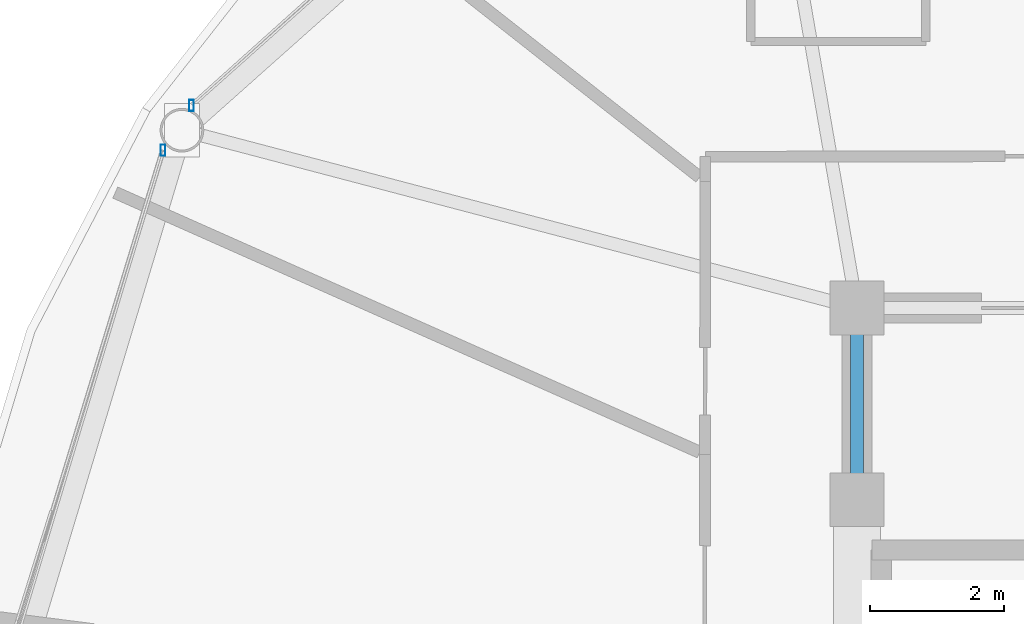
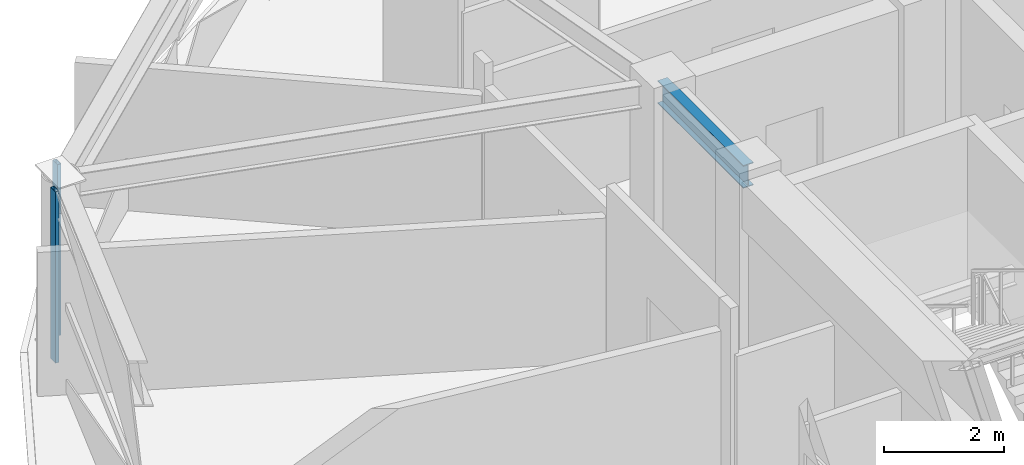
# One storey, part 9 of 30: 2 members, 1 beam, 2 elements without a shape of their own.
"""IFC4 building model written with IfcOpenShell, lengths in metres."""

from ifc_helpers import new_model, si_unit, direction, frame, origin, origin_2d, place, context, subcontext, project, spatial, hollow_rectangle, i_section, extrude, material, layer, layer_set, material_profile, profile_set, type_object, element, aggregate, save


model = new_model("IFC4")

# Units and contexts
model_context = context("Model", 3, precision=1e-05, world=origin(), true_north=direction((0.0, 1.0)))
body_context = subcontext(model_context, "Body", "Model", "MODEL_VIEW")
ifc_project = project(units=[si_unit("LENGTHUNIT", "METRE"), si_unit("AREAUNIT", "SQUARE_METRE"), si_unit("VOLUMEUNIT", "CUBIC_METRE"), si_unit("PLANEANGLEUNIT", "RADIAN"), si_unit("MASSUNIT", "GRAM", prefix="KILO")], contexts=[model_context])

# Site, building, storey
site_placement = place(None, origin())
site = spatial("IfcSite", under=ifc_project, at=site_placement, CompositionType="ELEMENT")
building_placement = place(site_placement, origin())
building = spatial("IfcBuilding", under=site, at=building_placement, Name="Vantalir Tower", CompositionType="ELEMENT")
storey_placement = place(building_placement, frame((0.0, 0.0, 193.64990234375)))
storey = spatial("IfcBuildingStorey", under=building, at=storey_placement, Name="L48", CompositionType="ELEMENT", Elevation=193.64990234375)

# Beam
ifc_material_1 = material(Name="Steel S355", Category="steel")
ifc_material_profile_1 = material_profile(ifc_material_1, i_section(OverallWidth=0.19189453125, OverallDepth=0.462890625, WebThickness=0.010498046875, FlangeThickness=0.017578125, at=origin_2d()), Name="Steel S355")
ifc_profile_set_1 = profile_set([ifc_material_profile_1], Name="Steel S355")
beam_type = type_object("IfcBeamType", Name="BM-RB-457x191", PredefinedType="BEAM", material=ifc_profile_set_1)
beam_placement = place(storey_placement, frame((21.89990234375, 32.449951171875, 3.338134765625), z_axis=(0.0, -1.0, 0.0), x_axis=(1.0, 0.0, 0.0)))
element("IfcBeam", 1, at=beam_placement, inside=storey, type_object=beam_type, Name="L48 Core Coupling Girder 12", PredefinedType="BEAM", context=body_context, shape_type="SweptSolid", body=[
    extrude(i_section(OverallWidth=0.19189453125, OverallDepth=0.462890625, WebThickness=0.010498046875, FlangeThickness=0.017578125, at=origin_2d()), origin(), (0.0, 0.0, 1.0), 2.849853515625),
])

# Curtain wall, member
ifc_material_2 = material(Name="Champagne-silver PVDF aluminium and double-silver Low-E glass", Category="aluminium")
ifc_layer = layer(ifc_material_2, 0.2099609375)
ifc_layer_set = layer_set([ifc_layer], Name="Champagne-silver PVDF aluminium and double-silver Low-E glass")
curtain_wall_type = type_object("IfcCurtainWallType", Name="CW-DIAMOND-Z3", PredefinedType="USERDEFINED", material=ifc_layer_set)
curtain_wall_1_placement = place(storey_placement, origin())
curtain_wall_1 = element("IfcCurtainWall", 2, at=curtain_wall_1_placement, inside=storey, type_object=curtain_wall_type, Name="L48 Quilted Pyramid-Diamond Curtain Wall S05", ObjectType="UNITISED CURTAIN WALL", PredefinedType="USERDEFINED")
ifc_material_3 = material(Name="Champagne-silver PVDF aluminium 6063-T6", Category="aluminium")
ifc_material_profile_2 = material_profile(ifc_material_3, hollow_rectangle(XDim=0.070068359375, YDim=0.1650390625, WallThickness=0.00390625, at=origin_2d()), Name="Champagne-silver PVDF aluminium 6063-T6")
ifc_profile_set_2 = profile_set([ifc_material_profile_2], Name="Champagne-silver PVDF aluminium 6063-T6")
member_type = type_object("IfcMemberType", Name="CWM-165x70", PredefinedType="MULLION", material=ifc_profile_set_2)
member_1_placement = place(storey_placement, frame((12.0029296875, 35.4619140625, 0.045166015625), z_axis=(0.0, 0.0, 1.0), x_axis=(1.0, 0.0, 0.0)))
member_1 = element("IfcMember", 3, at=member_1_placement, type_object=member_type, Name="CW-L48-S05 Mullion 2", PredefinedType="MULLION", context=body_context, shape_type="SweptSolid", body=[
    extrude(hollow_rectangle(XDim=0.070068359375, YDim=0.1650390625, WallThickness=0.00390625, at=origin_2d()), origin(), (0.0, 0.0, 1.0), 3.47998046875),
])
aggregate(curtain_wall_1, [member_1])

curtain_wall_2_placement = place(storey_placement, origin())
curtain_wall_2 = element("IfcCurtainWall", 4, at=curtain_wall_2_placement, inside=storey, type_object=curtain_wall_type, Name="L48 Quilted Pyramid-Diamond Curtain Wall S06", ObjectType="UNITISED CURTAIN WALL", PredefinedType="USERDEFINED")
member_2_placement = place(storey_placement, frame((11.5791015625, 34.7958984375, 0.045166015625), z_axis=(0.0, 0.0, 1.0), x_axis=(1.0, 0.0, 0.0)))
member_2 = element("IfcMember", 5, at=member_2_placement, type_object=member_type, Name="CW-L48-S06 Mullion 1", PredefinedType="MULLION", context=body_context, shape_type="SweptSolid", body=[
    extrude(hollow_rectangle(XDim=0.070068359375, YDim=0.1650390625, WallThickness=0.00390625, at=origin_2d()), origin(), (0.0, 0.0, 1.0), 3.47998046875),
])
aggregate(curtain_wall_2, [member_2])

save(model, "model.ifc")
